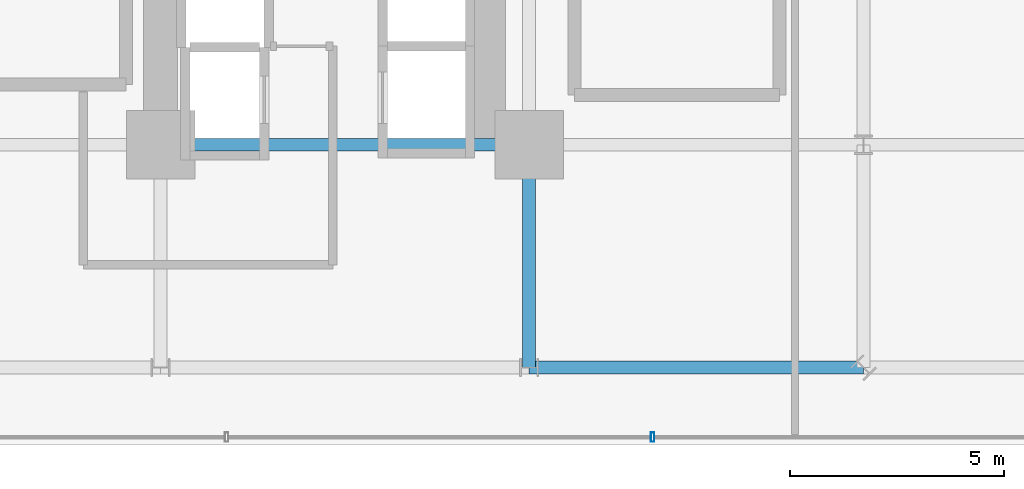
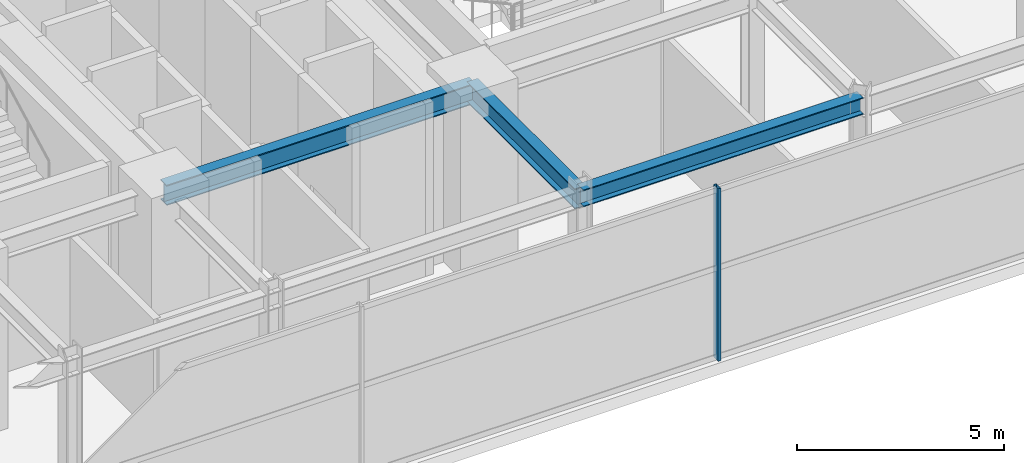
# One storey, part 11 of 34: 3 beams, 1 member, 1 element without a shape of its own.
"""IFC4 building model written with IfcOpenShell, lengths in metres."""

from ifc_helpers import new_model, si_unit, direction, frame, origin, origin_2d, place, context, subcontext, project, spatial, hollow_rectangle, i_section, extrude, source, transform, mapped, material, material_profile, profile_set, type_object, element, aggregate, save


model = new_model("IFC4")

# Units and contexts
model_context = context("Model", 3, precision=1e-05, world=origin(), true_north=direction((0.0, 1.0)))
body_context = subcontext(model_context, "Body", "Model", "MODEL_VIEW")
ifc_project = project(units=[si_unit("LENGTHUNIT", "METRE"), si_unit("AREAUNIT", "SQUARE_METRE"), si_unit("VOLUMEUNIT", "CUBIC_METRE"), si_unit("PLANEANGLEUNIT", "RADIAN"), si_unit("MASSUNIT", "GRAM", prefix="KILO")], contexts=[model_context])

# Site, building, storey
site_placement = place(None, origin())
site = spatial("IfcSite", under=ifc_project, at=site_placement, CompositionType="ELEMENT")
building_placement = place(site_placement, origin())
building = spatial("IfcBuilding", under=site, at=building_placement, Name="Nahalor Promenade Grand Hotel", CompositionType="ELEMENT")
storey_placement = place(building_placement, frame((0.0, 0.0, 16.199951171875)))
storey = spatial("IfcBuildingStorey", under=building, at=storey_placement, Name="L03", CompositionType="ELEMENT", Elevation=16.199951171875)

# Beams
ifc_material_1 = material(Name="Steel S355JR", Category="steel")
ifc_material_profile_1 = material_profile(ifc_material_1, i_section(OverallWidth=0.3, OverallDepth=0.6, WebThickness=0.0155, FlangeThickness=0.03, at=origin_2d()), Name="HEB 600")
ifc_profile_set_1 = profile_set([ifc_material_profile_1], Name="Steel S355JR")
beam_type_1 = type_object("IfcBeamType", Name="Beam-Girder-HEB600", PredefinedType="BEAM", material=ifc_profile_set_1)
shared_shape_1 = source(origin(), body_context, "Body", "SweptSolid", [
    extrude(i_section(OverallWidth=0.3, OverallDepth=0.6, WebThickness=0.0155, FlangeThickness=0.03, at=origin_2d()), origin(), (0.0, 0.0, 1.0), 8.60009765625),
])
beam_1_placement = place(storey_placement, frame((8.39990234375, -17.0, 4.780029296875), z_axis=(1.0, 0.0, 0.0), x_axis=(0.0, 1.0, 0.0)))
element("IfcBeam", 1, at=beam_1_placement, inside=storey, type_object=beam_type_1, Name="BM-L03-GX-0-6", PredefinedType="BEAM", context=body_context, shape_type="MappedRepresentation", body=[
    mapped(shared_shape_1, transform((0.0, 0.0, 0.0), scale=1.0)),
])
shared_shape_2 = source(origin(), body_context, "Body", "SweptSolid", [
    extrude(i_section(OverallWidth=0.3, OverallDepth=0.6, WebThickness=0.0155, FlangeThickness=0.03, at=origin_2d()), origin(), (0.0, 0.0, 1.0), 5.199951171875),
])
beam_2_placement = place(storey_placement, frame((17.0, -22.199951171875, 4.780029296875), z_axis=(0.0, 1.0, 0.0), x_axis=(-1.0, 0.0, 0.0)))
element("IfcBeam", 2, at=beam_2_placement, inside=storey, type_object=beam_type_1, Name="BM-L03-GY-5-0", PredefinedType="BEAM", context=body_context, shape_type="MappedRepresentation", body=[
    mapped(shared_shape_2, transform((0.0, 0.0, 0.0), scale=1.0)),
])
ifc_material_profile_2 = material_profile(ifc_material_1, i_section(OverallWidth=0.3, OverallDepth=0.5, WebThickness=0.0145, FlangeThickness=0.028, at=origin_2d()), Name="HEB 500")
ifc_profile_set_2 = profile_set([ifc_material_profile_2], Name="Steel S355JR")
beam_type_2 = type_object("IfcBeamType", Name="Beam-Spandrel-HEB500", PredefinedType="SPANDREL", material=ifc_profile_set_2)
shared_shape_3 = source(origin(), body_context, "Body", "SweptSolid", [
    extrude(i_section(OverallWidth=0.3, OverallDepth=0.5, WebThickness=0.0145, FlangeThickness=0.028, at=origin_2d()), origin(), (0.0, 0.0, 1.0), 7.800048828125),
])
beam_3_placement = place(storey_placement, frame((17.0, -22.199951171875, 4.830078125), z_axis=(1.0, 0.0, 0.0), x_axis=(0.0, 1.0, 0.0)))
element("IfcBeam", 3, at=beam_3_placement, inside=storey, type_object=beam_type_2, Name="BM-L03-SPC-SE-1", PredefinedType="SPANDREL", context=body_context, shape_type="MappedRepresentation", body=[
    mapped(shared_shape_3, transform((0.0, 0.0, 0.0), scale=1.0)),
])

# Curtain wall, member
ifc_material_2 = material(Name="Anodised Bronze Aluminium EN AW-6063 T6", Category="aluminium")
curtain_wall_type = type_object("IfcCurtainWallType", Name="CW1 Waterfront Podium Bronze Arcade Curtain Wall", PredefinedType="USERDEFINED", material=ifc_material_2)
curtain_wall_placement = place(storey_placement, origin())
curtain_wall = element("IfcCurtainWall", 4, at=curtain_wall_placement, inside=storey, type_object=curtain_wall_type, Name="L03 Curtain Wall CW-L03-S", ObjectType="UNITISED_CURTAIN_WALL", PredefinedType="USERDEFINED")
ifc_material_profile_3 = material_profile(ifc_material_2, hollow_rectangle(XDim=0.08, YDim=0.22, WallThickness=0.005, at=origin_2d()), Name="CWM 80x220x5")
ifc_profile_set_3 = profile_set([ifc_material_profile_3], Name="Anodised Bronze Aluminium EN AW-6063 T6")
member_type = type_object("IfcMemberType", Name="CWM1 Podium Bronze Mullion 80x220", PredefinedType="MULLION", material=ifc_profile_set_3)
shared_shape_4 = source(origin(), body_context, "Body", "SweptSolid", [
    extrude(hollow_rectangle(XDim=0.08, YDim=0.22, WallThickness=0.005, at=origin_2d()), origin(), (0.0, 0.0, 1.0), 5.080078125),
])
member_placement = place(storey_placement, frame((19.8798828125, -23.820068359375, 0.0), z_axis=(0.0, 0.0, 1.0), x_axis=(1.0, 0.0, 0.0)))
member = element("IfcMember", 5, at=member_placement, type_object=member_type, Name="CW-L03-S Mullion 5", PredefinedType="MULLION", context=body_context, shape_type="MappedRepresentation", body=[
    mapped(shared_shape_4, transform((0.0, 0.0, 0.0), scale=1.0)),
])
aggregate(curtain_wall, [member])

save(model, "model.ifc")
